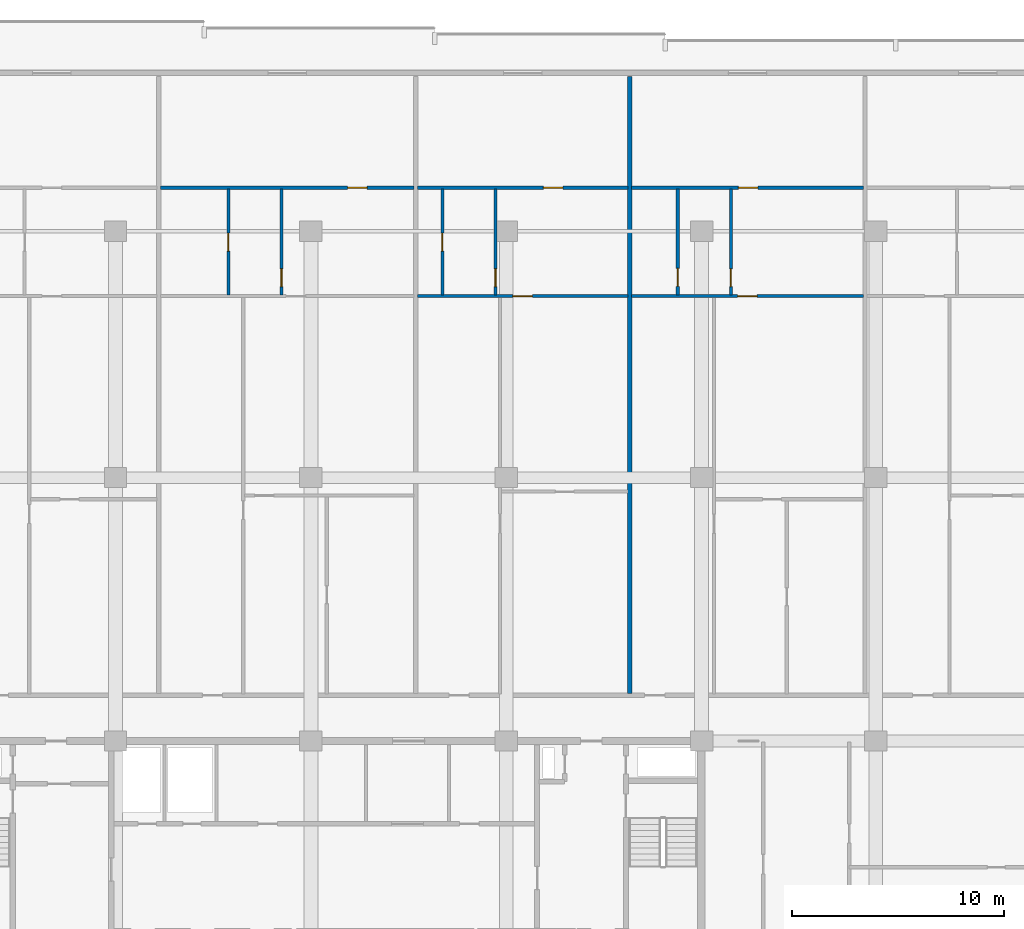
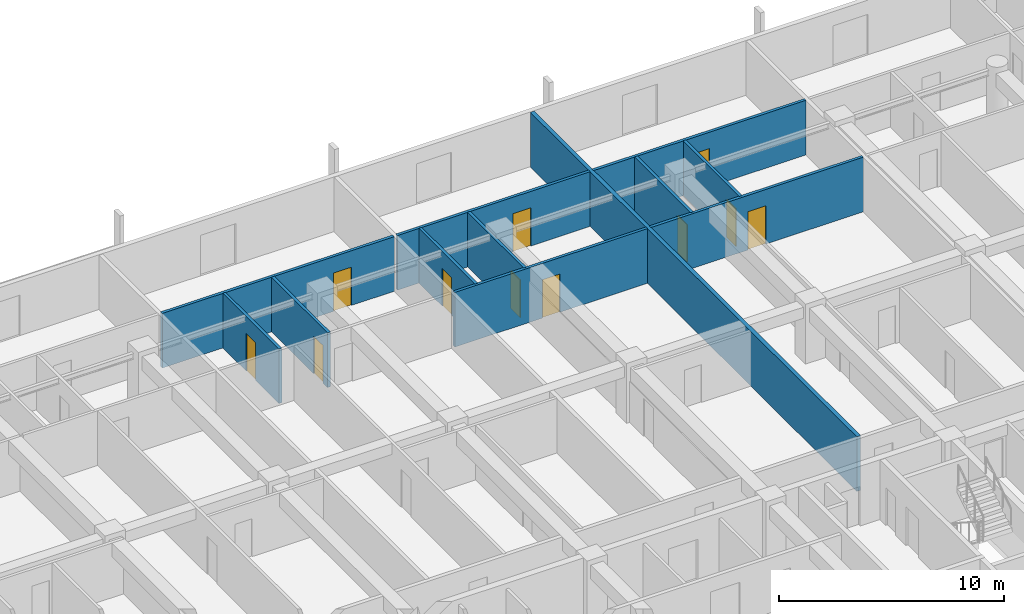
# One storey, part 15 of 23: 12 walls, 11 doors, 11 openings.
"""IFC4 building model written with IfcOpenShell, lengths in metres."""

import ifcopenshell
import ifcopenshell.guid

model = None  # the IFC model being written
_history = None  # IfcOwnerHistory: only IFC2X3 demands one
_inside = {}  # id of a spatial element -> (the spatial element, [elements in it])
_under = {}  # id of a project, library or spatial element -> (it, [spatial elements below it])
_declared = {}  # id of a project -> (the project, [libraries it declares])
_typed = {}  # id of a type object -> (the type object, [elements of that type])
_made_of = {}  # id of a material, layer set ... -> (it, [elements and type objects made of it])


def new_model(schema):
    """Start an empty IFC model of exactly this schema.

    Asked for "IFC4X3", IfcOpenShell would pick the latest addendum, in which some entities
    have other attributes; the version numbers below select the first issue.
    IFC2X3 requires an IfcOwnerHistory on every rooted entity: one is made here for all.
    """
    global model, _history
    if schema == "IFC4X3":
        model = ifcopenshell.file(schema_version=(4, 3, 0, 0))
    else:
        model = ifcopenshell.file(schema=schema)
    _inside.clear()
    _under.clear()
    _declared.clear()
    _typed.clear()
    _made_of.clear()
    _history = None
    if model.schema == "IFC2X3":
        org = make("IfcOrganization", Name="unknown")
        user = make(
            "IfcPersonAndOrganization",
            ThePerson=make("IfcPerson", FamilyName="unknown"),
            TheOrganization=org,
        )
        app = make(
            "IfcApplication",
            ApplicationDeveloper=org,
            Version="unknown",
            ApplicationFullName="unknown",
            ApplicationIdentifier="unknown",
        )
        _history = make(
            "IfcOwnerHistory",
            OwningUser=user,
            OwningApplication=app,
            ChangeAction="ADDED",
            CreationDate=0,
        )
    return model


def make(cls, **values):
    """One entity of the class cls with the attributes given. An attribute that is None is left unset."""
    return model.create_entity(
        cls, **{name: value for name, value in values.items() if value is not None}
    )


def rooted(cls, **values):
    """An entity with a GlobalId (a new one), such as an element, a storey or a relation."""
    return make(cls, GlobalId=ifcopenshell.guid.new(), OwnerHistory=_history, **values)


def si_unit(unit_type, name, prefix=None):
    """IfcSIUnit, for example si_unit("LENGTHUNIT", "METRE", prefix="MILLI")."""
    return make("IfcSIUnit", UnitType=unit_type, Prefix=prefix, Name=name)


def assignment(units):
    """IfcUnitAssignment: the units of a project."""
    return None if units is None else make("IfcUnitAssignment", Units=units)


def point(xyz):
    """IfcCartesianPoint."""
    return None if xyz is None else make("IfcCartesianPoint", Coordinates=xyz)


def direction(xyz):
    """IfcDirection."""
    return None if xyz is None else make("IfcDirection", DirectionRatios=xyz)


def frame(location, z_axis=None, x_axis=None):
    """IfcAxis2Placement3D, a coordinate frame: its origin and axes. An axis left out is left unset."""
    return make(
        "IfcAxis2Placement3D",
        Location=point(location),
        Axis=direction(z_axis),
        RefDirection=direction(x_axis),
    )


def frame_2d(location, x_axis=None):
    """IfcAxis2Placement2D, a coordinate frame in the plane: its origin and x axis."""
    return make(
        "IfcAxis2Placement2D", Location=point(location), RefDirection=direction(x_axis)
    )


def origin():
    """The frame at (0, 0, 0) with its axes left unset."""
    return frame((0.0, 0.0, 0.0))


def place(relative_to, where):
    """IfcLocalPlacement: puts the frame where relative to a parent placement (None: the world)."""
    return make(
        "IfcLocalPlacement", PlacementRelTo=relative_to, RelativePlacement=where
    )


def context(
    kind, dimensions, precision=None, world=None, true_north=None, identifier=None
):
    """IfcGeometricRepresentationContext, for example the 3D "Model" context."""
    return make(
        "IfcGeometricRepresentationContext",
        ContextIdentifier=identifier,
        ContextType=kind,
        CoordinateSpaceDimension=dimensions,
        Precision=precision,
        WorldCoordinateSystem=world,
        TrueNorth=true_north,
    )


def subcontext(parent, identifier, kind, view, scale=None):
    """IfcGeometricRepresentationSubContext, for example "Body" below "Model"."""
    return make(
        "IfcGeometricRepresentationSubContext",
        ContextIdentifier=identifier,
        ContextType=kind,
        ParentContext=parent,
        TargetScale=scale,
        TargetView=view,
    )


def project(units=None, contexts=None):
    """IfcProject with its units and contexts."""
    return rooted(
        "IfcProject",
        Name="project",
        RepresentationContexts=contexts,
        UnitsInContext=assignment(units),
    )


def spatial(cls, under=None, at=None, **own):
    """A site, building, storey or space (cls), placed at a placement, below another one or the project."""
    s = rooted(cls, ObjectPlacement=at, **own)
    if under is not None:
        _under.setdefault(under.id(), (under, []))[1].append(s)
    return s


def profile(cls, at=None, kind="AREA", **sizes):
    """A parametric profile (cls). Its sizes go by their IFC names, for example OverallWidth=200.0."""
    return make(cls, ProfileType=kind, Position=at, **sizes)


def rectangle(**sizes):
    """IfcRectangleProfileDef."""
    return profile("IfcRectangleProfileDef", **sizes)


def extrude(swept, where, along, depth):
    """IfcExtrudedAreaSolid: the profile swept, set in the frame where, extruded along a direction by depth."""
    return make(
        "IfcExtrudedAreaSolid",
        SweptArea=swept,
        Position=where,
        ExtrudedDirection=direction(along),
        Depth=depth,
    )


def shape(context_of_items, identifier, shape_type, items):
    """IfcShapeRepresentation: the items that make up one representation, for example the "Body"."""
    return make(
        "IfcShapeRepresentation",
        ContextOfItems=context_of_items,
        RepresentationIdentifier=identifier,
        RepresentationType=shape_type,
        Items=items,
    )


def material(Name=None, Category=None):
    """IfcMaterial."""
    return make("IfcMaterial", Name=Name, Category=Category)


def layer(
    of_material, thickness, ventilated=None, Name=None, Category=None, Priority=None
):
    """IfcMaterialLayer: one layer of a wall or slab, of a material (None: an air gap)."""
    return make(
        "IfcMaterialLayer",
        Material=of_material,
        LayerThickness=thickness,
        IsVentilated=ventilated,
        Name=Name,
        Category=Category,
        Priority=Priority,
    )


def layer_set(layers, Name=None):
    """IfcMaterialLayerSet."""
    return make("IfcMaterialLayerSet", MaterialLayers=layers, LayerSetName=Name)


def made_of(thing, what):
    """Note that an element or type object is made of a material, layer set ...; save() writes the relation."""
    if what is not None:
        _made_of.setdefault(what.id(), (what, []))[1].append(thing)
    return thing


def type_object(cls, material=None, **own):
    """A type object (cls), such as IfcWallType, which elements share."""
    return made_of(rooted(cls, **own), material)


def element(
    cls,
    number,
    at=None,
    inside=None,
    cuts=None,
    type_object=None,
    material=None,
    context=None,
    identifier="Body",
    shape_type=None,
    held_by="IfcProductDefinitionShape",
    body=None,
    shapes=None,
    **own,
):
    """One element of the class cls, such as IfcWall. Its Tag is "e" and its number.

    at: its placement. inside: the storey or other place that contains it. cuts: it is an
    opening in that element (IfcRelVoidsElement). A single representation is given by context,
    identifier, shape_type and body (its items); several are given by shapes. held_by: the class
    of the entity that holds the representations. save() writes the other relations.
    """
    e = rooted(cls, Tag="e%d" % number, ObjectPlacement=at, **own)
    if body is not None:
        shapes = [shape(context, identifier, shape_type, body)]
    if shapes is not None:
        e.Representation = make(held_by, Representations=shapes)
    if inside is not None:
        _inside.setdefault(inside.id(), (inside, []))[1].append(e)
    if cuts is not None:
        rooted(
            "IfcRelVoidsElement", RelatingBuildingElement=cuts, RelatedOpeningElement=e
        )
    if type_object is not None:
        _typed.setdefault(type_object.id(), (type_object, []))[1].append(e)
    return made_of(e, material)


def fill(opening, filler):
    """IfcRelFillsElement: the door or window that sits in an opening."""
    return rooted(
        "IfcRelFillsElement",
        RelatingOpeningElement=opening,
        RelatedBuildingElement=filler,
    )


def aggregate(whole, parts):
    """IfcRelAggregates: a whole, such as a stair, and the parts it consists of."""
    return rooted("IfcRelAggregates", RelatingObject=whole, RelatedObjects=parts)


def save(model, path):
    """Write the relations noted so far, then the file.

    IfcRelAggregates (storeys below a building ...), IfcRelContainedInSpatialStructure (elements
    in a storey), IfcRelDefinesByType, IfcRelAssociatesMaterial and IfcRelDeclares: one each for
    every whole, place, type object, material and project.
    """
    for whole, parts in _under.values():
        aggregate(whole, parts)
    for where, things in _inside.values():
        rooted(
            "IfcRelContainedInSpatialStructure",
            RelatedElements=things,
            RelatingStructure=where,
        )
    for kind, things in _typed.values():
        rooted("IfcRelDefinesByType", RelatedObjects=things, RelatingType=kind)
    for what, things in _made_of.values():
        rooted("IfcRelAssociatesMaterial", RelatedObjects=things, RelatingMaterial=what)
    for by, libraries in _declared.values():
        rooted("IfcRelDeclares", RelatingContext=by, RelatedDefinitions=libraries)
    model.write(path)


model = new_model("IFC4")

# Units and contexts
model_context = context("Model", 3, precision=1e-05, world=origin(), true_north=direction((0.0, 1.0)))
body_context = subcontext(model_context, "Body", "Model", "MODEL_VIEW")
ifc_project = project(units=[si_unit("LENGTHUNIT", "METRE"), si_unit("AREAUNIT", "SQUARE_METRE"), si_unit("VOLUMEUNIT", "CUBIC_METRE"), si_unit("PLANEANGLEUNIT", "RADIAN"), si_unit("MASSUNIT", "GRAM", prefix="KILO")], contexts=[model_context])

# Site, building, storey
site_placement = place(None, origin())
site = spatial("IfcSite", under=ifc_project, at=site_placement, CompositionType="ELEMENT")
building_placement = place(site_placement, origin())
building = spatial("IfcBuilding", under=site, at=building_placement, Name="Korimba Cascade Residences", CompositionType="ELEMENT")
storey_placement = place(building_placement, frame((0.0, 0.0, 27.25)))
storey = spatial("IfcBuildingStorey", under=building, at=storey_placement, Name="L06", CompositionType="ELEMENT", Elevation=27.25)

# Wall
ifc_material_1 = material(Name="Precast concrete C40/50", Category="concrete")
ifc_layer_1 = layer(ifc_material_1, 0.199951171875)
ifc_layer_set_1 = layer_set([ifc_layer_1], Name="Precast concrete C40/50")
wall_type_1 = type_object("IfcWallType", Name="WAL-IT-200", PredefinedType="PARTITIONING", material=ifc_layer_set_1)
wall_1_placement = place(storey_placement, frame((108.712890625, 69.429931640625, 0.0), z_axis=(0.0, 0.0, 1.0), x_axis=(0.0, 1.0, 0.0)))
element("IfcWall", 1, at=wall_1_placement, inside=storey, type_object=wall_type_1, Name="L06 Partition Wall WAL-L06-T1-DEM-5", PredefinedType="PARTITIONING", context=body_context, shape_type="SweptSolid", body=[
    extrude(rectangle(XDim=29.070068359375, YDim=0.199951171875, at=frame_2d((14.53515625, 0.0))), origin(), (0.0, 0.0, 1.0), 2.969970703125),
])

# Wall, opening, door
ifc_material_2 = material(Name="Insulated Acoustic Stud Partition", Category="gypsum")
ifc_layer_2 = layer(ifc_material_2, 0.14990234375)
ifc_layer_set_2 = layer_set([ifc_layer_2], Name="Insulated Acoustic Stud Partition")
wall_type_2 = type_object("IfcWallType", Name="WAL-PART-150", PredefinedType="PARTITIONING", material=ifc_layer_set_2)
wall_2_placement = place(storey_placement, frame((89.81494140625, 88.18994140625, 0.0), z_axis=(0.0, 0.0, 1.0), x_axis=(0.0, 1.0, 0.0)))
wall_2 = element("IfcWall", 2, at=wall_2_placement, inside=storey, type_object=wall_type_2, Name="L06 Partition Wall WAL-L06-T1-U04-CLS", PredefinedType="PARTITIONING", context=body_context, shape_type="SweptSolid", body=[
    extrude(rectangle(XDim=5.0, YDim=0.14990234375, at=frame_2d((2.5, 0.0))), origin(), (0.0, 0.0, 1.0), 2.969970703125),
])
opening_1_placement = place(wall_2_placement, frame((2.080078125, 0.0, 0.0)))
opening_1 = element("IfcOpeningElement", 3, at=opening_1_placement, cuts=wall_2, Name="Opening D-BT1", PredefinedType="OPENING", context=body_context, shape_type="SweptSolid", body=[
    extrude(rectangle(XDim=0.840087890625, YDim=2.0400390625, at=frame_2d((0.419921875, 1.02001953125))), frame((0.0, 0.0849609375, 0.0), z_axis=(0.0, -1.0, 0.0), x_axis=(1.0, 0.0, 0.0)), (0.0, 0.0, 1.0), 0.169921875),
])
ifc_material_3 = material(Name="Moisture-Resistant Bathroom Timber Door", Category="wood")
door_type_1 = type_object("IfcDoorType", Name="DR-INT-850", OperationType="NOTDEFINED", PredefinedType="DOOR", material=ifc_material_3)
door_1_placement = place(opening_1_placement, origin())
door_1 = element("IfcDoor", 4, at=door_1_placement, inside=storey, type_object=door_type_1, Name="L06-T1-U04 Closet Door", OperationType="SINGLE_SWING_RIGHT", OverallHeight=2.0400390625, OverallWidth=0.840087890625, PredefinedType="DOOR", context=body_context, shape_type="SweptSolid", body=[
    extrude(rectangle(XDim=0.840087890625, YDim=2.0400390625, at=frame_2d((0.419921875, 1.02001953125))), frame((0.0, 0.02490234375, 0.0), z_axis=(0.0, -1.0, 0.0), x_axis=(1.0, 0.0, 0.0)), (0.0, 0.0, 1.0), 0.050048828125),
])
fill(opening_1, door_1)

wall_3_placement = place(storey_placement, frame((92.31494140625, 88.18994140625, 0.0), z_axis=(0.0, 0.0, 1.0), x_axis=(0.0, 1.0, 0.0)))
wall_3 = element("IfcWall", 5, at=wall_3_placement, inside=storey, type_object=wall_type_2, Name="L06 Partition Wall WAL-L06-T1-U04-BM", PredefinedType="PARTITIONING", context=body_context, shape_type="SweptSolid", body=[
    extrude(rectangle(XDim=5.0, YDim=0.14990234375, at=frame_2d((2.5, 0.0))), origin(), (0.0, 0.0, 1.0), 2.969970703125),
])
opening_2_placement = place(wall_3_placement, frame((0.39990234375, 0.0, 0.0)))
opening_2 = element("IfcOpeningElement", 6, at=opening_2_placement, cuts=wall_3, Name="Opening D-BT1", PredefinedType="OPENING", context=body_context, shape_type="SweptSolid", body=[
    extrude(rectangle(XDim=0.840087890625, YDim=2.0400390625, at=frame_2d((0.419921875, 1.02001953125))), frame((0.0, 0.0849609375, 0.0), z_axis=(0.0, -1.0, 0.0), x_axis=(1.0, 0.0, 0.0)), (0.0, 0.0, 1.0), 0.169921875),
])
door_2_placement = place(opening_2_placement, origin())
door_2 = element("IfcDoor", 7, at=door_2_placement, inside=storey, type_object=door_type_1, Name="L06-T1-U04 Bathroom Door", OperationType="SINGLE_SWING_LEFT", OverallHeight=2.0400390625, OverallWidth=0.840087890625, PredefinedType="DOOR", context=body_context, shape_type="SweptSolid", body=[
    extrude(rectangle(XDim=0.840087890625, YDim=2.0400390625, at=frame_2d((0.419921875, 1.02001953125))), frame((0.0, 0.02490234375, 0.0), z_axis=(0.0, -1.0, 0.0), x_axis=(1.0, 0.0, 0.0)), (0.0, 0.0, 1.0), 0.050048828125),
])
fill(opening_2, door_2)

wall_4_placement = place(storey_placement, frame((86.62158203125, 93.25, 0.0), z_axis=(0.0, 0.0, 1.0), x_axis=(1.0, 0.0, 0.0)))
wall_4 = element("IfcWall", 8, at=wall_4_placement, inside=storey, type_object=wall_type_2, Name="L06 Partition Wall WAL-L06-T1-U04-HZ", PredefinedType="PARTITIONING", context=body_context, shape_type="SweptSolid", body=[
    extrude(rectangle(XDim=11.933349609375, YDim=0.14990234375, at=frame_2d((5.966796875, 0.0))), origin(), (0.0, 0.0, 1.0), 2.969970703125),
])
opening_3_placement = place(wall_4_placement, frame((8.8115234375, 0.0, 0.0)))
opening_3 = element("IfcOpeningElement", 9, at=opening_3_placement, cuts=wall_4, Name="Opening D-IN1", PredefinedType="OPENING", context=body_context, shape_type="SweptSolid", body=[
    extrude(rectangle(XDim=0.919921875, YDim=2.080078125, at=frame_2d((0.4599609375, 1.0400390625))), frame((0.0, 0.0849609375, 0.0), z_axis=(0.0, -1.0, 0.0), x_axis=(1.0, 0.0, 0.0)), (0.0, 0.0, 1.0), 0.169921875),
])
ifc_material_4 = material(Name="Acoustic Timber Living Door", Category="wood")
door_type_2 = type_object("IfcDoorType", Name="DR-INT-920", OperationType="NOTDEFINED", PredefinedType="DOOR", material=ifc_material_4)
door_3_placement = place(opening_3_placement, origin())
door_3 = element("IfcDoor", 10, at=door_3_placement, inside=storey, type_object=door_type_2, Name="L06-T1-U04 Studio Door", OperationType="SINGLE_SWING_LEFT", OverallHeight=2.080078125, OverallWidth=0.919921875, PredefinedType="DOOR", context=body_context, shape_type="SweptSolid", body=[
    extrude(rectangle(XDim=0.919921875, YDim=2.080078125, at=frame_2d((0.4599609375, 1.0400390625))), frame((0.0, 0.02490234375, 0.0), z_axis=(0.0, -1.0, 0.0), x_axis=(1.0, 0.0, 0.0)), (0.0, 0.0, 1.0), 0.050048828125),
])
fill(opening_3, door_3)

wall_5_placement = place(storey_placement, frame((99.892822265625, 88.18994140625, 0.0), z_axis=(0.0, 0.0, 1.0), x_axis=(0.0, 1.0, 0.0)))
wall_5 = element("IfcWall", 11, at=wall_5_placement, inside=storey, type_object=wall_type_2, Name="L06 Partition Wall WAL-L06-T1-U05-CLS", PredefinedType="PARTITIONING", context=body_context, shape_type="SweptSolid", body=[
    extrude(rectangle(XDim=5.0, YDim=0.14990234375, at=frame_2d((2.5, 0.0))), origin(), (0.0, 0.0, 1.0), 2.969970703125),
])
opening_4_placement = place(wall_5_placement, frame((2.080078125, 0.0, 0.0)))
opening_4 = element("IfcOpeningElement", 12, at=opening_4_placement, cuts=wall_5, Name="Opening D-BT1", PredefinedType="OPENING", context=body_context, shape_type="SweptSolid", body=[
    extrude(rectangle(XDim=0.840087890625, YDim=2.0400390625, at=frame_2d((0.419921875, 1.02001953125))), frame((0.0, 0.0849609375, 0.0), z_axis=(0.0, -1.0, 0.0), x_axis=(1.0, 0.0, 0.0)), (0.0, 0.0, 1.0), 0.169921875),
])
door_4_placement = place(opening_4_placement, origin())
door_4 = element("IfcDoor", 13, at=door_4_placement, inside=storey, type_object=door_type_1, Name="L06-T1-U05 Closet Door", OperationType="SINGLE_SWING_RIGHT", OverallHeight=2.0400390625, OverallWidth=0.840087890625, PredefinedType="DOOR", context=body_context, shape_type="SweptSolid", body=[
    extrude(rectangle(XDim=0.840087890625, YDim=2.0400390625, at=frame_2d((0.419921875, 1.02001953125))), frame((0.0, 0.02490234375, 0.0), z_axis=(0.0, -1.0, 0.0), x_axis=(1.0, 0.0, 0.0)), (0.0, 0.0, 1.0), 0.050048828125),
])
fill(opening_4, door_4)

wall_6_placement = place(storey_placement, frame((102.392822265625, 88.18994140625, 0.0), z_axis=(0.0, 0.0, 1.0), x_axis=(0.0, 1.0, 0.0)))
wall_6 = element("IfcWall", 14, at=wall_6_placement, inside=storey, type_object=wall_type_2, Name="L06 Partition Wall WAL-L06-T1-U05-BM", PredefinedType="PARTITIONING", context=body_context, shape_type="SweptSolid", body=[
    extrude(rectangle(XDim=5.0, YDim=0.14990234375, at=frame_2d((2.5, 0.0))), origin(), (0.0, 0.0, 1.0), 2.969970703125),
])
opening_5_placement = place(wall_6_placement, frame((0.39990234375, 0.0, 0.0)))
opening_5 = element("IfcOpeningElement", 15, at=opening_5_placement, cuts=wall_6, Name="Opening D-BT1", PredefinedType="OPENING", context=body_context, shape_type="SweptSolid", body=[
    extrude(rectangle(XDim=0.840087890625, YDim=2.0400390625, at=frame_2d((0.419921875, 1.02001953125))), frame((0.0, 0.0849609375, 0.0), z_axis=(0.0, -1.0, 0.0), x_axis=(1.0, 0.0, 0.0)), (0.0, 0.0, 1.0), 0.169921875),
])
door_5_placement = place(opening_5_placement, origin())
door_5 = element("IfcDoor", 16, at=door_5_placement, inside=storey, type_object=door_type_1, Name="L06-T1-U05 Bathroom Door", OperationType="SINGLE_SWING_LEFT", OverallHeight=2.0400390625, OverallWidth=0.840087890625, PredefinedType="DOOR", context=body_context, shape_type="SweptSolid", body=[
    extrude(rectangle(XDim=0.840087890625, YDim=2.0400390625, at=frame_2d((0.419921875, 1.02001953125))), frame((0.0, 0.02490234375, 0.0), z_axis=(0.0, -1.0, 0.0), x_axis=(1.0, 0.0, 0.0)), (0.0, 0.0, 1.0), 0.050048828125),
])
fill(opening_5, door_5)

wall_7_placement = place(storey_placement, frame((98.715087890625, 88.14990234375, 0.0), z_axis=(0.0, 0.0, 1.0), x_axis=(1.0, 0.0, 0.0)))
wall_7 = element("IfcWall", 17, at=wall_7_placement, inside=storey, type_object=wall_type_2, Name="L06 Partition Wall WAL-L06-T1-U05-MW", PredefinedType="PARTITIONING", context=body_context, shape_type="SweptSolid", body=[
    extrude(rectangle(XDim=9.917724609375, YDim=0.14990234375, at=frame_2d((4.958984375, 0.0))), origin(), (0.0, 0.0, 1.0), 2.969970703125),
])
opening_6_placement = place(wall_7_placement, frame((4.4990234375, 0.0, 0.0)))
opening_6 = element("IfcOpeningElement", 18, at=opening_6_placement, cuts=wall_7, Name="Opening D-IN1", PredefinedType="OPENING", context=body_context, shape_type="SweptSolid", body=[
    extrude(rectangle(XDim=0.919921875, YDim=2.080078125, at=frame_2d((0.4599609375, 1.0400390625))), frame((0.0, 0.0849609375, 0.0), z_axis=(0.0, -1.0, 0.0), x_axis=(1.0, 0.0, 0.0)), (0.0, 0.0, 1.0), 0.169921875),
])
door_6_placement = place(opening_6_placement, origin())
door_6 = element("IfcDoor", 19, at=door_6_placement, inside=storey, type_object=door_type_2, Name="L06-T1-U05 Studio Kitchen Door", OperationType="SINGLE_SWING_RIGHT", OverallHeight=2.080078125, OverallWidth=0.919921875, PredefinedType="DOOR", context=body_context, shape_type="SweptSolid", body=[
    extrude(rectangle(XDim=0.919921875, YDim=2.080078125, at=frame_2d((0.4599609375, 1.0400390625))), frame((0.0, 0.02490234375, 0.0), z_axis=(0.0, -1.0, 0.0), x_axis=(1.0, 0.0, 0.0)), (0.0, 0.0, 1.0), 0.050048828125),
])
fill(opening_6, door_6)

wall_8_placement = place(storey_placement, frame((98.715087890625, 93.25, 0.0), z_axis=(0.0, 0.0, 1.0), x_axis=(1.0, 0.0, 0.0)))
wall_8 = element("IfcWall", 20, at=wall_8_placement, inside=storey, type_object=wall_type_2, Name="L06 Partition Wall WAL-L06-T1-U05-HZ", PredefinedType="PARTITIONING", context=body_context, shape_type="SweptSolid", body=[
    extrude(rectangle(XDim=9.917724609375, YDim=0.14990234375, at=frame_2d((4.958984375, 0.0))), origin(), (0.0, 0.0, 1.0), 2.969970703125),
])
opening_7_placement = place(wall_8_placement, frame((5.935546875, 0.0, 0.0)))
opening_7 = element("IfcOpeningElement", 21, at=opening_7_placement, cuts=wall_8, Name="Opening D-IN1", PredefinedType="OPENING", context=body_context, shape_type="SweptSolid", body=[
    extrude(rectangle(XDim=0.919921875, YDim=2.080078125, at=frame_2d((0.4599609375, 1.0400390625))), frame((0.0, 0.0849609375, 0.0), z_axis=(0.0, -1.0, 0.0), x_axis=(1.0, 0.0, 0.0)), (0.0, 0.0, 1.0), 0.169921875),
])
door_7_placement = place(opening_7_placement, origin())
door_7 = element("IfcDoor", 22, at=door_7_placement, inside=storey, type_object=door_type_2, Name="L06-T1-U05 Studio Door", OperationType="SINGLE_SWING_LEFT", OverallHeight=2.080078125, OverallWidth=0.919921875, PredefinedType="DOOR", context=body_context, shape_type="SweptSolid", body=[
    extrude(rectangle(XDim=0.919921875, YDim=2.080078125, at=frame_2d((0.4599609375, 1.0400390625))), frame((0.0, 0.02490234375, 0.0), z_axis=(0.0, -1.0, 0.0), x_axis=(1.0, 0.0, 0.0)), (0.0, 0.0, 1.0), 0.050048828125),
])
fill(opening_7, door_7)

wall_9_placement = place(storey_placement, frame((110.978515625, 88.18994140625, 0.0), z_axis=(0.0, 0.0, 1.0), x_axis=(0.0, 1.0, 0.0)))
wall_9 = element("IfcWall", 23, at=wall_9_placement, inside=storey, type_object=wall_type_2, Name="L06 Partition Wall WAL-L06-T1-U06-CLS", PredefinedType="PARTITIONING", context=body_context, shape_type="SweptSolid", body=[
    extrude(rectangle(XDim=5.0, YDim=0.14990234375, at=frame_2d((2.5, 0.0))), origin(), (0.0, 0.0, 1.0), 2.969970703125),
])
opening_8_placement = place(wall_9_placement, frame((0.419189453125, 0.0, 0.0)))
opening_8 = element("IfcOpeningElement", 24, at=opening_8_placement, cuts=wall_9, Name="Opening D-BT1", PredefinedType="OPENING", context=body_context, shape_type="SweptSolid", body=[
    extrude(rectangle(XDim=0.840087890625, YDim=2.0400390625, at=frame_2d((0.419921875, 1.02001953125))), frame((0.0, 0.0849609375, 0.0), z_axis=(0.0, -1.0, 0.0), x_axis=(1.0, 0.0, 0.0)), (0.0, 0.0, 1.0), 0.169921875),
])
door_8_placement = place(opening_8_placement, origin())
door_8 = element("IfcDoor", 25, at=door_8_placement, inside=storey, type_object=door_type_1, Name="L06-T1-U06 Closet Door", OperationType="SINGLE_SWING_LEFT", OverallHeight=2.0400390625, OverallWidth=0.840087890625, PredefinedType="DOOR", context=body_context, shape_type="SweptSolid", body=[
    extrude(rectangle(XDim=0.840087890625, YDim=2.0400390625, at=frame_2d((0.419921875, 1.02001953125))), frame((0.0, 0.02490234375, 0.0), z_axis=(0.0, -1.0, 0.0), x_axis=(1.0, 0.0, 0.0)), (0.0, 0.0, 1.0), 0.050048828125),
])
fill(opening_8, door_8)

wall_10_placement = place(storey_placement, frame((113.478515625, 88.18994140625, 0.0), z_axis=(0.0, 0.0, 1.0), x_axis=(0.0, 1.0, 0.0)))
wall_10 = element("IfcWall", 26, at=wall_10_placement, inside=storey, type_object=wall_type_2, Name="L06 Partition Wall WAL-L06-T1-U06-BM", PredefinedType="PARTITIONING", context=body_context, shape_type="SweptSolid", body=[
    extrude(rectangle(XDim=5.0, YDim=0.14990234375, at=frame_2d((2.5, 0.0))), origin(), (0.0, 0.0, 1.0), 2.969970703125),
])
opening_9_placement = place(wall_10_placement, frame((0.39990234375, 0.0, 0.0)))
opening_9 = element("IfcOpeningElement", 27, at=opening_9_placement, cuts=wall_10, Name="Opening D-BT1", PredefinedType="OPENING", context=body_context, shape_type="SweptSolid", body=[
    extrude(rectangle(XDim=0.840087890625, YDim=2.0400390625, at=frame_2d((0.419921875, 1.02001953125))), frame((0.0, 0.0849609375, 0.0), z_axis=(0.0, -1.0, 0.0), x_axis=(1.0, 0.0, 0.0)), (0.0, 0.0, 1.0), 0.169921875),
])
door_9_placement = place(opening_9_placement, origin())
door_9 = element("IfcDoor", 28, at=door_9_placement, inside=storey, type_object=door_type_1, Name="L06-T1-U06 Bathroom Door", OperationType="SINGLE_SWING_RIGHT", OverallHeight=2.0400390625, OverallWidth=0.840087890625, PredefinedType="DOOR", context=body_context, shape_type="SweptSolid", body=[
    extrude(rectangle(XDim=0.840087890625, YDim=2.0400390625, at=frame_2d((0.419921875, 1.02001953125))), frame((0.0, 0.02490234375, 0.0), z_axis=(0.0, -1.0, 0.0), x_axis=(1.0, 0.0, 0.0)), (0.0, 0.0, 1.0), 0.050048828125),
])
fill(opening_9, door_9)

wall_11_placement = place(storey_placement, frame((108.79296875, 88.14990234375, 0.0), z_axis=(0.0, 0.0, 1.0), x_axis=(1.0, 0.0, 0.0)))
wall_11 = element("IfcWall", 29, at=wall_11_placement, inside=storey, type_object=wall_type_2, Name="L06 Partition Wall WAL-L06-T1-U06-MW", PredefinedType="PARTITIONING", context=body_context, shape_type="SweptSolid", body=[
    extrude(rectangle(XDim=10.925537109375, YDim=0.14990234375, at=frame_2d((5.462890625, 0.0))), origin(), (0.0, 0.0, 1.0), 2.969970703125),
])
opening_10_placement = place(wall_11_placement, frame((5.002685546875, 0.0, 0.0)))
opening_10 = element("IfcOpeningElement", 30, at=opening_10_placement, cuts=wall_11, Name="Opening D-IN1", PredefinedType="OPENING", context=body_context, shape_type="SweptSolid", body=[
    extrude(rectangle(XDim=0.919921875, YDim=2.080078125, at=frame_2d((0.4599609375, 1.0400390625))), frame((0.0, 0.0849609375, 0.0), z_axis=(0.0, -1.0, 0.0), x_axis=(1.0, 0.0, 0.0)), (0.0, 0.0, 1.0), 0.169921875),
])
door_10_placement = place(opening_10_placement, origin())
door_10 = element("IfcDoor", 31, at=door_10_placement, inside=storey, type_object=door_type_2, Name="L06-T1-U06 Studio Kitchen Door", OperationType="SINGLE_SWING_LEFT", OverallHeight=2.080078125, OverallWidth=0.919921875, PredefinedType="DOOR", context=body_context, shape_type="SweptSolid", body=[
    extrude(rectangle(XDim=0.919921875, YDim=2.080078125, at=frame_2d((0.4599609375, 1.0400390625))), frame((0.0, 0.02490234375, 0.0), z_axis=(0.0, -1.0, 0.0), x_axis=(1.0, 0.0, 0.0)), (0.0, 0.0, 1.0), 0.050048828125),
])
fill(opening_10, door_10)

wall_12_placement = place(storey_placement, frame((108.79296875, 93.25, 0.0), z_axis=(0.0, 0.0, 1.0), x_axis=(1.0, 0.0, 0.0)))
wall_12 = element("IfcWall", 32, at=wall_12_placement, inside=storey, type_object=wall_type_2, Name="L06 Partition Wall WAL-L06-T1-U06-HZ", PredefinedType="PARTITIONING", context=body_context, shape_type="SweptSolid", body=[
    extrude(rectangle(XDim=10.925537109375, YDim=0.14990234375, at=frame_2d((5.462890625, 0.0))), origin(), (0.0, 0.0, 1.0), 2.969970703125),
])
opening_11_placement = place(wall_12_placement, frame((5.03125, 0.0, 0.0)))
opening_11 = element("IfcOpeningElement", 33, at=opening_11_placement, cuts=wall_12, Name="Opening D-IN1", PredefinedType="OPENING", context=body_context, shape_type="SweptSolid", body=[
    extrude(rectangle(XDim=0.919921875, YDim=2.080078125, at=frame_2d((0.4599609375, 1.0400390625))), frame((0.0, 0.0849609375, 0.0), z_axis=(0.0, -1.0, 0.0), x_axis=(1.0, 0.0, 0.0)), (0.0, 0.0, 1.0), 0.169921875),
])
door_11_placement = place(opening_11_placement, origin())
door_11 = element("IfcDoor", 34, at=door_11_placement, inside=storey, type_object=door_type_2, Name="L06-T1-U06 Studio Door", OperationType="SINGLE_SWING_RIGHT", OverallHeight=2.080078125, OverallWidth=0.919921875, PredefinedType="DOOR", context=body_context, shape_type="SweptSolid", body=[
    extrude(rectangle(XDim=0.919921875, YDim=2.080078125, at=frame_2d((0.4599609375, 1.0400390625))), frame((0.0, 0.02490234375, 0.0), z_axis=(0.0, -1.0, 0.0), x_axis=(1.0, 0.0, 0.0)), (0.0, 0.0, 1.0), 0.050048828125),
])
fill(opening_11, door_11)

save(model, "model.ifc")
